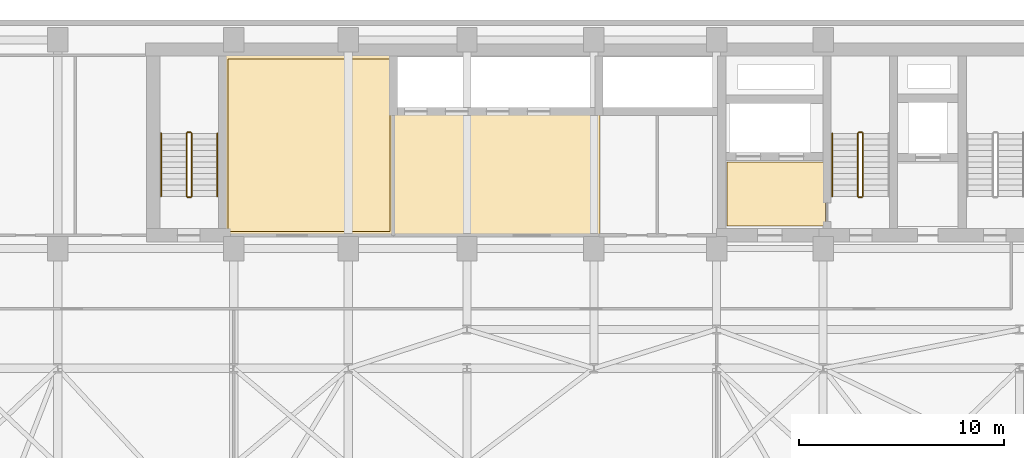
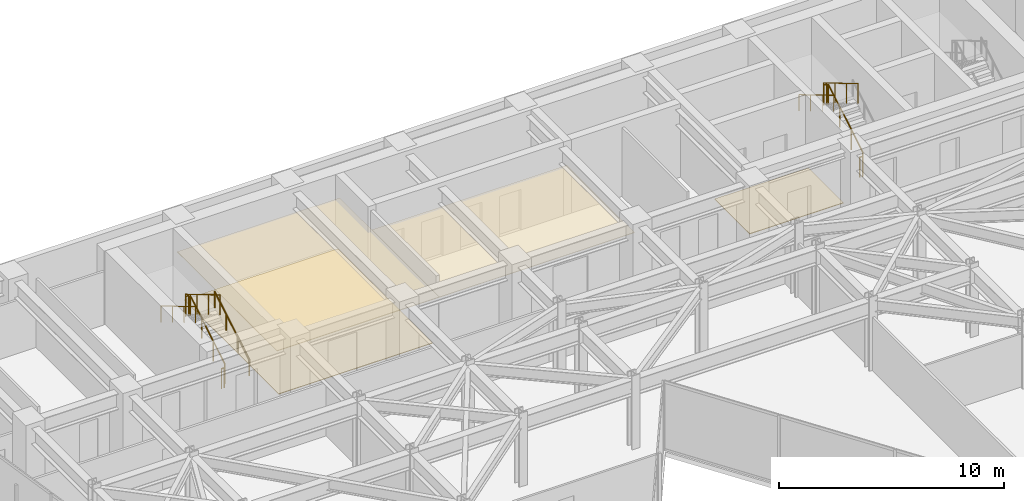
# One storey, part 25 of 26: 11 railings, 4 coverings.
"""IFC4 building model written with IfcOpenShell, lengths in metres."""

from ifc_helpers import new_model, si_unit, direction, frame, origin, origin_2d, place, context, subcontext, project, spatial, polyline, circle, outline, extrude, material, layer, layer_set, type_object, element, save


model = new_model("IFC4")

# Units and contexts
model_context = context("Model", 3, precision=1e-05, world=origin(), true_north=direction((0.0, 1.0)))
body_context = subcontext(model_context, "Body", "Model", "MODEL_VIEW")
ifc_project = project(units=[si_unit("LENGTHUNIT", "METRE"), si_unit("AREAUNIT", "SQUARE_METRE"), si_unit("VOLUMEUNIT", "CUBIC_METRE"), si_unit("PLANEANGLEUNIT", "RADIAN"), si_unit("MASSUNIT", "GRAM", prefix="KILO")], contexts=[model_context])

# Site, building, storey
site_placement = place(None, origin())
site = spatial("IfcSite", under=ifc_project, at=site_placement, CompositionType="ELEMENT")
building_placement = place(site_placement, origin())
building = spatial("IfcBuilding", under=site, at=building_placement, Name="Kravanh Interchange Tower", CompositionType="ELEMENT")
storey_placement = place(building_placement, frame((0.0, 0.0, 144.0)))
storey = spatial("IfcBuildingStorey", under=building, at=storey_placement, Name="L34", CompositionType="ELEMENT", Elevation=144.0)

# Coverings
ifc_material_1 = material(Name="Cementitious Terrazzo Tile")
ifc_layer_1 = layer(ifc_material_1, 0.030029296875)
ifc_layer_set_1 = layer_set([ifc_layer_1], Name="Honed Terrazzo Lobby Flooring 30mm")
covering_type_1 = type_object("IfcCoveringType", Name="Honed Terrazzo Lobby Flooring 30mm", PredefinedType="FLOORING", material=ifc_layer_set_1)
covering_1_placement = place(storey_placement, origin())
element("IfcCovering", 1, at=covering_1_placement, inside=storey, type_object=covering_type_1, Name="L34 Firefighting Lobby Floor Finish", PredefinedType="FLOORING", context=body_context, shape_type="SweptSolid", body=[
    extrude(outline(polyline([(56.1201171875, 38.4599609375), (51.300048828125, 38.4599609375), (51.300048828125, 41.580078125), (56.1201171875, 41.580078125), (56.1201171875, 38.4599609375)])), origin(), (0.0, 0.0, 1.0), 0.030029296875),
])
covering_2_placement = place(storey_placement, origin())
element("IfcCovering", 2, at=covering_2_placement, inside=storey, type_object=covering_type_1, Name="L34 Tenant Wellness and Prayer Suite Floor Finish", PredefinedType="FLOORING", context=body_context, shape_type="SweptSolid", body=[
    extrude(outline(polyline([(26.929931640625, 46.6201171875), (34.840087890625, 46.6201171875), (34.840087890625, 38.179931640625), (26.929931640625, 38.179931640625), (26.929931640625, 46.6201171875)])), origin(), (0.0, 0.0, 1.0), 0.030029296875),
])
ifc_material_2 = material(Name="Anodised Bronze Aluminium Acoustic Baffle", Category="aluminium")
ifc_layer_2 = layer(ifc_material_2, 0.034912109375)
ifc_layer_set_2 = layer_set([ifc_layer_2], Name="Linear Bronze Baffle Feature Ceiling 35mm")
covering_type_2 = type_object("IfcCoveringType", Name="Linear Bronze Baffle Feature Ceiling 35mm", PredefinedType="CEILING", material=ifc_layer_set_2)
covering_3_placement = place(storey_placement, frame((0.0, 0.0, 2.550048828125)))
element("IfcCovering", 3, at=covering_3_placement, inside=storey, type_object=covering_type_2, Name="L34 Tenant Wellness and Prayer Suite Suspended Ceiling", PredefinedType="CEILING", context=body_context, shape_type="SweptSolid", body=[
    extrude(outline(polyline([(35.06005859375, 37.9599609375), (26.7099609375, 37.9599609375), (26.7099609375, 46.840087890625), (35.06005859375, 46.840087890625), (35.06005859375, 37.9599609375)])), origin(), (0.0, 0.0, 1.0), 0.034912109375),
])
ifc_material_3 = material(Name="Acoustic Mineral Fibre Tile on Aluminium Grid", Category="aluminium")
ifc_layer_3 = layer(ifc_material_3, 0.02490234375)
ifc_layer_set_3 = layer_set([ifc_layer_3], Name="Perforated Acoustic Mineral Ceiling 25mm")
covering_type_3 = type_object("IfcCoveringType", Name="Perforated Acoustic Mineral Ceiling 25mm", PredefinedType="CEILING", material=ifc_layer_set_3)
covering_4_placement = place(storey_placement, frame((0.0, 0.0, 2.550048828125)))
element("IfcCovering", 4, at=covering_4_placement, inside=storey, type_object=covering_type_3, Name="L34 Mid-Rise Lift Lobby Suspended Ceiling", PredefinedType="CEILING", context=body_context, shape_type="SweptSolid", body=[
    extrude(outline(polyline([(45.090087890625, 37.9599609375), (34.93994140625, 37.9599609375), (34.93994140625, 43.989990234375), (45.090087890625, 43.989990234375), (45.090087890625, 37.9599609375)])), origin(), (0.0, 0.0, 1.0), 0.02490234375),
])

# Railings
ifc_material_4 = material(Name="Structural Steel S355", Category="steel")
ifc_layer_4 = layer(ifc_material_4, 0.050048828125)
ifc_layer_set_4 = layer_set([ifc_layer_4], Name="Stair Well Guardrail Structural Steel S355 1100mm")
railing_type_1 = type_object("IfcRailingType", Name="Stair Well Guardrail Structural Steel S355 1100mm", PredefinedType="GUARDRAIL", material=ifc_layer_set_4)
railing_1_placement = place(storey_placement, frame((57.949951171875, 39.89990234375, 0.166748046875)))
element("IfcRailing", 5, at=railing_1_placement, inside=storey, type_object=railing_type_1, Name="L34 ST2 stair guard 1", PredefinedType="GUARDRAIL", context=body_context, shape_type="SweptSolid", body=[
    extrude(circle(Radius=0.02392578125, at=origin_2d()), frame((0.0, 0.0, 1.076171875), z_axis=(0.0, 0.859308565015, 0.511457515432), x_axis=(-1.0, 0.0, 0.0)), (0.0, 0.0, 1.0), 3.58447265625),
    extrude(circle(Radius=0.02099609375, at=origin_2d()), origin(), (0.0, 0.0, 1.0), 1.052001953125),
    extrude(circle(Radius=0.02099609375, at=origin_2d()), frame((0.0, 1.026611328125, 0.611083984375)), (0.0, 0.0, 1.0), 1.052001953125),
    extrude(circle(Radius=0.02099609375, at=origin_2d()), frame((0.0, 2.053466796875, 1.22216796875)), (0.0, 0.0, 1.0), 1.052001953125),
    extrude(circle(Radius=0.02099609375, at=origin_2d()), frame((0.0, 3.080078125, 1.833251953125)), (0.0, 0.0, 1.0), 1.052001953125),
])
railing_2_placement = place(storey_placement, frame((57.89990234375, 43.030029296875, 2.0)))
element("IfcRailing", 6, at=railing_2_placement, inside=storey, type_object=railing_type_1, Name="L34 ST2 stair guard 2", PredefinedType="GUARDRAIL", context=body_context, shape_type="SweptSolid", body=[
    extrude(circle(Radius=0.02392578125, at=origin_2d()), frame((0.0, 0.0, 1.076171875), z_axis=(-1.0, 0.0, 0.0), x_axis=(0.0, -1.0, 0.0)), (0.0, 0.0, 1.0), 0.14990234375),
    extrude(circle(Radius=0.02099609375, at=origin_2d()), origin(), (0.0, 0.0, 1.0), 1.052001953125),
    extrude(circle(Radius=0.02099609375, at=origin_2d()), frame((-0.14990234375, 0.0, 0.0)), (0.0, 0.0, 1.0), 1.052001953125),
])
railing_3_placement = place(storey_placement, frame((57.699951171875, 42.97998046875, 2.166748046875)))
element("IfcRailing", 7, at=railing_3_placement, inside=storey, type_object=railing_type_1, Name="L34 ST2 stair guard 3", PredefinedType="GUARDRAIL", context=body_context, shape_type="SweptSolid", body=[
    extrude(circle(Radius=0.02392578125, at=origin_2d()), frame((0.0, 0.0, 1.076171875), z_axis=(0.0, -0.859308565015, 0.511457515432), x_axis=(1.0, 0.0, 0.0)), (0.0, 0.0, 1.0), 3.58447265625),
    extrude(circle(Radius=0.02099609375, at=origin_2d()), origin(), (0.0, 0.0, 1.0), 1.052001953125),
    extrude(circle(Radius=0.02099609375, at=origin_2d()), frame((0.0, -1.026611328125, 0.611083984375)), (0.0, 0.0, 1.0), 1.052001953125),
    extrude(circle(Radius=0.02099609375, at=origin_2d()), frame((0.0, -2.053466796875, 1.22216796875)), (0.0, 0.0, 1.0), 1.052001953125),
    extrude(circle(Radius=0.02099609375, at=origin_2d()), frame((0.0, -3.080078125, 1.833251953125)), (0.0, 0.0, 1.0), 1.052001953125),
])
railing_4_placement = place(storey_placement, frame((57.89990234375, 39.85009765625, 0.0)))
element("IfcRailing", 8, at=railing_4_placement, inside=storey, type_object=railing_type_1, Name="L34 ST2 stair guard 4", PredefinedType="GUARDRAIL", context=body_context, shape_type="SweptSolid", body=[
    extrude(circle(Radius=0.02392578125, at=origin_2d()), frame((0.0, 0.0, 1.076171875), z_axis=(-1.0, 0.0, 0.0), x_axis=(0.0, -1.0, 0.0)), (0.0, 0.0, 1.0), 0.14990234375),
    extrude(circle(Radius=0.02099609375, at=origin_2d()), origin(), (0.0, 0.0, 1.0), 1.052001953125),
    extrude(circle(Radius=0.02099609375, at=origin_2d()), frame((-0.14990234375, 0.0, 0.0)), (0.0, 0.0, 1.0), 1.052001953125),
])
railing_5_placement = place(storey_placement, frame((25.14990234375, 39.89990234375, 0.166748046875)))
element("IfcRailing", 9, at=railing_5_placement, inside=storey, type_object=railing_type_1, Name="L34 ST3 stair guard 1", PredefinedType="GUARDRAIL", context=body_context, shape_type="SweptSolid", body=[
    extrude(circle(Radius=0.02392578125, at=origin_2d()), frame((0.0, 0.0, 1.076171875), z_axis=(0.0, 0.859308565015, 0.511457515432), x_axis=(-1.0, 0.0, 0.0)), (0.0, 0.0, 1.0), 3.58447265625),
    extrude(circle(Radius=0.02099609375, at=origin_2d()), origin(), (0.0, 0.0, 1.0), 1.052001953125),
    extrude(circle(Radius=0.02099609375, at=origin_2d()), frame((0.0, 1.026611328125, 0.611083984375)), (0.0, 0.0, 1.0), 1.052001953125),
    extrude(circle(Radius=0.02099609375, at=origin_2d()), frame((0.0, 2.053466796875, 1.22216796875)), (0.0, 0.0, 1.0), 1.052001953125),
    extrude(circle(Radius=0.02099609375, at=origin_2d()), frame((0.0, 3.080078125, 1.833251953125)), (0.0, 0.0, 1.0), 1.052001953125),
])
railing_6_placement = place(storey_placement, frame((25.10009765625, 43.030029296875, 2.0)))
element("IfcRailing", 10, at=railing_6_placement, inside=storey, type_object=railing_type_1, Name="L34 ST3 stair guard 2", PredefinedType="GUARDRAIL", context=body_context, shape_type="SweptSolid", body=[
    extrude(circle(Radius=0.02392578125, at=origin_2d()), frame((0.0, 0.0, 1.076171875), z_axis=(-1.0, 0.0, 0.0), x_axis=(0.0, -1.0, 0.0)), (0.0, 0.0, 1.0), 0.150146484375),
    extrude(circle(Radius=0.02099609375, at=origin_2d()), origin(), (0.0, 0.0, 1.0), 1.052001953125),
    extrude(circle(Radius=0.02099609375, at=origin_2d()), frame((-0.150146484375, 0.0, 0.0)), (0.0, 0.0, 1.0), 1.052001953125),
])
railing_7_placement = place(storey_placement, frame((24.89990234375, 42.97998046875, 2.166748046875)))
element("IfcRailing", 11, at=railing_7_placement, inside=storey, type_object=railing_type_1, Name="L34 ST3 stair guard 3", PredefinedType="GUARDRAIL", context=body_context, shape_type="SweptSolid", body=[
    extrude(circle(Radius=0.02392578125, at=origin_2d()), frame((0.0, 0.0, 1.076171875), z_axis=(0.0, -0.859308565015, 0.511457515432), x_axis=(1.0, 0.0, 0.0)), (0.0, 0.0, 1.0), 3.58447265625),
    extrude(circle(Radius=0.02099609375, at=origin_2d()), origin(), (0.0, 0.0, 1.0), 1.052001953125),
    extrude(circle(Radius=0.02099609375, at=origin_2d()), frame((0.0, -1.026611328125, 0.611083984375)), (0.0, 0.0, 1.0), 1.052001953125),
    extrude(circle(Radius=0.02099609375, at=origin_2d()), frame((0.0, -2.053466796875, 1.22216796875)), (0.0, 0.0, 1.0), 1.052001953125),
    extrude(circle(Radius=0.02099609375, at=origin_2d()), frame((0.0, -3.080078125, 1.833251953125)), (0.0, 0.0, 1.0), 1.052001953125),
])
railing_8_placement = place(storey_placement, frame((25.10009765625, 39.85009765625, 0.0)))
element("IfcRailing", 12, at=railing_8_placement, inside=storey, type_object=railing_type_1, Name="L34 ST3 stair guard 4", PredefinedType="GUARDRAIL", context=body_context, shape_type="SweptSolid", body=[
    extrude(circle(Radius=0.02392578125, at=origin_2d()), frame((0.0, 0.0, 1.076171875), z_axis=(-1.0, 0.0, 0.0), x_axis=(0.0, -1.0, 0.0)), (0.0, 0.0, 1.0), 0.150146484375),
    extrude(circle(Radius=0.02099609375, at=origin_2d()), origin(), (0.0, 0.0, 1.0), 1.052001953125),
    extrude(circle(Radius=0.02099609375, at=origin_2d()), frame((-0.150146484375, 0.0, 0.0)), (0.0, 0.0, 1.0), 1.052001953125),
])
ifc_material_5 = material(Name="Stainless Steel 304", Category="steel")
ifc_layer_5 = layer(ifc_material_5, 0.044921875)
ifc_layer_set_5 = layer_set([ifc_layer_5], Name="Tubular Stair Handrail Stainless 304 900mm")
railing_type_2 = type_object("IfcRailingType", Name="Tubular Stair Handrail Stainless 304 900mm", PredefinedType="HANDRAIL", material=ifc_layer_set_5)
railing_9_placement = place(storey_placement, frame((56.449951171875, 42.97998046875, 2.166748046875)))
element("IfcRailing", 13, at=railing_9_placement, inside=storey, type_object=railing_type_2, Name="L34 ST2 stair handrail 2", PredefinedType="HANDRAIL", context=body_context, shape_type="SweptSolid", body=[
    extrude(circle(Radius=0.02392578125, at=origin_2d()), frame((0.0, 0.0, 0.8759765625), z_axis=(0.0, -0.859308565015, 0.511457515432), x_axis=(1.0, 0.0, 0.0)), (0.0, 0.0, 1.0), 3.58447265625),
    extrude(circle(Radius=0.02099609375, at=origin_2d()), origin(), (0.0, 0.0, 1.0), 0.851806640625),
    extrude(circle(Radius=0.02099609375, at=origin_2d()), frame((0.0, -1.026611328125, 0.611083984375)), (0.0, 0.0, 1.0), 0.851806640625),
    extrude(circle(Radius=0.02099609375, at=origin_2d()), frame((0.0, -2.053466796875, 1.22216796875)), (0.0, 0.0, 1.0), 0.851806640625),
    extrude(circle(Radius=0.02099609375, at=origin_2d()), frame((0.0, -3.080078125, 1.833251953125)), (0.0, 0.0, 1.0), 0.851806640625),
])
railing_10_placement = place(storey_placement, frame((26.39990234375, 39.89990234375, 0.166748046875)))
element("IfcRailing", 14, at=railing_10_placement, inside=storey, type_object=railing_type_2, Name="L34 ST3 stair handrail 1", PredefinedType="HANDRAIL", context=body_context, shape_type="SweptSolid", body=[
    extrude(circle(Radius=0.02392578125, at=origin_2d()), frame((0.0, 0.0, 0.8759765625), z_axis=(0.0, 0.859308565015, 0.511457515432), x_axis=(-1.0, 0.0, 0.0)), (0.0, 0.0, 1.0), 3.58447265625),
    extrude(circle(Radius=0.02099609375, at=origin_2d()), origin(), (0.0, 0.0, 1.0), 0.851806640625),
    extrude(circle(Radius=0.02099609375, at=origin_2d()), frame((0.0, 1.026611328125, 0.611083984375)), (0.0, 0.0, 1.0), 0.851806640625),
    extrude(circle(Radius=0.02099609375, at=origin_2d()), frame((0.0, 2.053466796875, 1.22216796875)), (0.0, 0.0, 1.0), 0.851806640625),
    extrude(circle(Radius=0.02099609375, at=origin_2d()), frame((0.0, 3.080078125, 1.833251953125)), (0.0, 0.0, 1.0), 0.851806640625),
])
railing_11_placement = place(storey_placement, frame((23.64990234375, 42.97998046875, 2.166748046875)))
element("IfcRailing", 15, at=railing_11_placement, inside=storey, type_object=railing_type_2, Name="L34 ST3 stair handrail 2", PredefinedType="HANDRAIL", context=body_context, shape_type="SweptSolid", body=[
    extrude(circle(Radius=0.02392578125, at=origin_2d()), frame((0.0, 0.0, 0.8759765625), z_axis=(0.0, -0.859308565015, 0.511457515432), x_axis=(1.0, 0.0, 0.0)), (0.0, 0.0, 1.0), 3.58447265625),
    extrude(circle(Radius=0.02099609375, at=origin_2d()), origin(), (0.0, 0.0, 1.0), 0.851806640625),
    extrude(circle(Radius=0.02099609375, at=origin_2d()), frame((0.0, -1.026611328125, 0.611083984375)), (0.0, 0.0, 1.0), 0.851806640625),
    extrude(circle(Radius=0.02099609375, at=origin_2d()), frame((0.0, -2.053466796875, 1.22216796875)), (0.0, 0.0, 1.0), 0.851806640625),
    extrude(circle(Radius=0.02099609375, at=origin_2d()), frame((0.0, -3.080078125, 1.833251953125)), (0.0, 0.0, 1.0), 0.851806640625),
])

save(model, "model.ifc")
